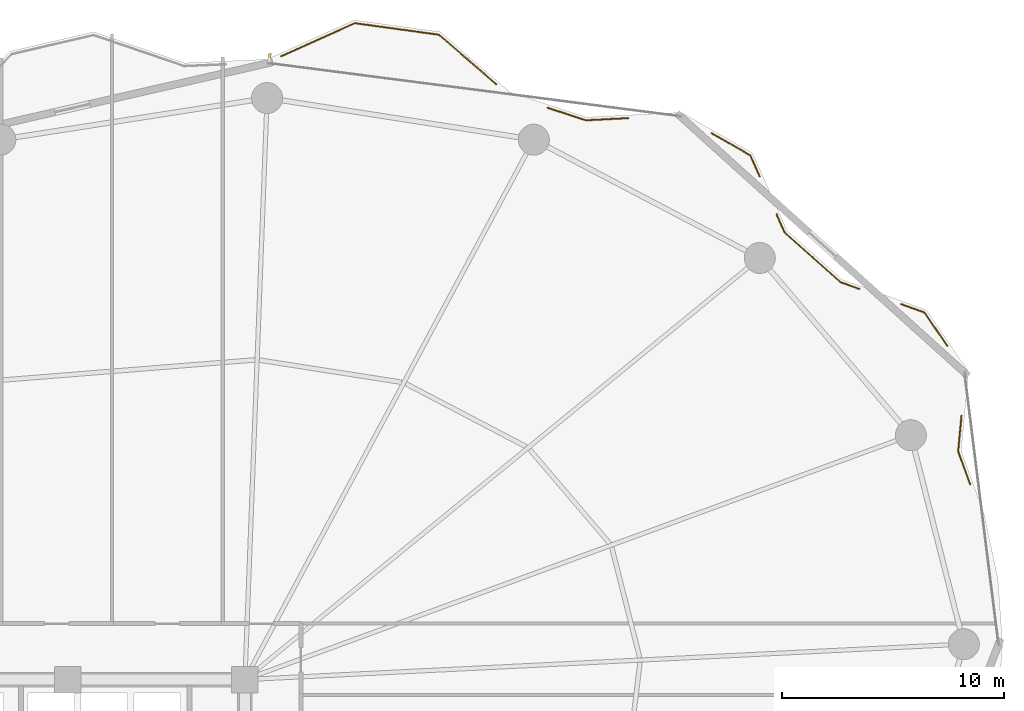
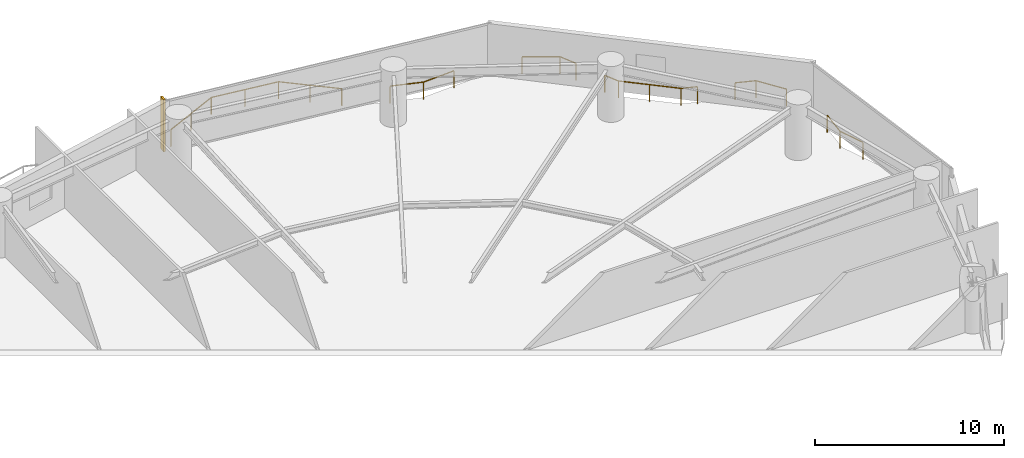
# One storey, part 30 of 30: 6 railings, 1 shading device.
"""IFC4 building model written with IfcOpenShell, lengths in metres."""

from ifc_helpers import new_model, si_unit, direction, frame, origin, origin_2d, place, context, subcontext, project, spatial, rectangle, extrude, material, type_object, element, save


model = new_model("IFC4")

# Units and contexts
model_context = context("Model", 3, precision=1e-05, world=origin(), true_north=direction((0.0, 1.0)))
body_context = subcontext(model_context, "Body", "Model", "MODEL_VIEW")
ifc_project = project(units=[si_unit("LENGTHUNIT", "METRE"), si_unit("AREAUNIT", "SQUARE_METRE"), si_unit("VOLUMEUNIT", "CUBIC_METRE"), si_unit("PLANEANGLEUNIT", "RADIAN"), si_unit("MASSUNIT", "GRAM", prefix="KILO")], contexts=[model_context])

# Site, building, storey
site_placement = place(None, origin())
site = spatial("IfcSite", under=ifc_project, at=site_placement, CompositionType="ELEMENT")
building_placement = place(site_placement, origin())
building = spatial("IfcBuilding", under=site, at=building_placement, Name="Kazevale Care Tower and Concert Hall", CompositionType="ELEMENT")
storey_placement = place(building_placement, frame((0.0, 0.0, 74.39990234375)))
storey = spatial("IfcBuildingStorey", under=building, at=storey_placement, Name="L19", CompositionType="ELEMENT", Elevation=74.39990234375)

# Railings
ifc_material_1 = material(Name="Anodised Bronze Aluminium and Laminated Glass", Category="aluminium")
railing_type = type_object("IfcRailingType", Name="Balcony and Terrace Balustrade 1120", PredefinedType="BALUSTRADE", material=ifc_material_1)
railing_1_placement = place(storey_placement, frame((45.62890625, 64.530029296875, 0.0)))
element("IfcRailing", 1, at=railing_1_placement, inside=storey, type_object=railing_type, Name="rail:L19:perim:6", PredefinedType="BALUSTRADE", context=body_context, shape_type="SweptSolid", body=[
    extrude(rectangle(XDim=0.048095703125, YDim=0.048095703125, at=origin_2d()), frame((0.0, 0.0, 1.09619140625), z_axis=(0.911836353888, 0.410553849975, 0.0), x_axis=(-0.410553849975, 0.911836353888, 0.0)), (0.0, 0.0, 1.0), 3.64892578125),
    extrude(rectangle(XDim=0.048095703125, YDim=0.048095703125, at=origin_2d()), frame((3.3271484375, 1.498046875, 1.09619140625), z_axis=(0.990721148466, -0.13591028652, 0.0), x_axis=(0.13591028652, 0.990721148466, 0.0)), (0.0, 0.0, 1.0), 3.840576171875),
    extrude(rectangle(XDim=0.048095703125, YDim=0.048095703125, at=origin_2d()), frame((7.132080078125, 0.97607421875, 1.09619140625), z_axis=(0.756211663975, -0.654327073617, 0.0), x_axis=(0.654327073617, 0.756211663975, 0.0)), (0.0, 0.0, 1.0), 3.405029296875),
    extrude(rectangle(XDim=0.0419921875, YDim=0.0419921875, at=origin_2d()), origin(), (0.0, 0.0, 1.0), 1.072021484375),
    extrude(rectangle(XDim=0.0419921875, YDim=0.0419921875, at=origin_2d()), frame((1.66357421875, 0.7490234375, 0.0)), (0.0, 0.0, 1.0), 1.072021484375),
    extrude(rectangle(XDim=0.0419921875, YDim=0.0419921875, at=origin_2d()), frame((3.3271484375, 1.498046875, 0.0)), (0.0, 0.0, 1.0), 1.072021484375),
    extrude(rectangle(XDim=0.0419921875, YDim=0.0419921875, at=origin_2d()), frame((5.2294921875, 1.237060546875, 0.0)), (0.0, 0.0, 1.0), 1.072021484375),
    extrude(rectangle(XDim=0.0419921875, YDim=0.0419921875, at=origin_2d()), frame((7.132080078125, 0.97607421875, 0.0)), (0.0, 0.0, 1.0), 1.072021484375),
    extrude(rectangle(XDim=0.0419921875, YDim=0.0419921875, at=origin_2d()), frame((8.41943359375, -0.137939453125, 0.0)), (0.0, 0.0, 1.0), 1.072021484375),
    extrude(rectangle(XDim=0.0419921875, YDim=0.0419921875, at=origin_2d()), frame((9.70703125, -1.251953125, 0.0)), (0.0, 0.0, 1.0), 1.072021484375),
])
railing_2_placement = place(storey_placement, frame((57.6640625, 62.2109375, 0.0)))
element("IfcRailing", 2, at=railing_2_placement, inside=storey, type_object=railing_type, Name="rail:L19:perim:7", PredefinedType="BALUSTRADE", context=body_context, shape_type="SweptSolid", body=[
    extrude(rectangle(XDim=0.048095703125, YDim=0.048095703125, at=origin_2d()), frame((0.0, 0.0, 1.09619140625), z_axis=(0.949848441204, -0.312710631004, 0.0), x_axis=(0.312710631004, 0.949848441204, 0.0)), (0.0, 0.0, 1.0), 1.812744140625),
    extrude(rectangle(XDim=0.048095703125, YDim=0.048095703125, at=origin_2d()), frame((1.721923828125, -0.56689453125, 1.09619140625), z_axis=(0.998699806004, 0.05097742136, 0.0), x_axis=(-0.05097742136, 0.998699806004, 0.0)), (0.0, 0.0, 1.0), 1.92041015625),
    extrude(rectangle(XDim=0.0419921875, YDim=0.0419921875, at=origin_2d()), origin(), (0.0, 0.0, 1.0), 1.072021484375),
    extrude(rectangle(XDim=0.0419921875, YDim=0.0419921875, at=origin_2d()), frame((1.721923828125, -0.56689453125, 0.0)), (0.0, 0.0, 1.0), 1.072021484375),
    extrude(rectangle(XDim=0.0419921875, YDim=0.0419921875, at=origin_2d()), frame((3.639892578125, -0.468994140625, 0.0)), (0.0, 0.0, 1.0), 1.072021484375),
])
railing_3_placement = place(storey_placement, frame((65.068115234375, 61.06103515625, 0.0)))
element("IfcRailing", 3, at=railing_3_placement, inside=storey, type_object=railing_type, Name="rail:L19:perim:8", PredefinedType="BALUSTRADE", context=body_context, shape_type="SweptSolid", body=[
    extrude(rectangle(XDim=0.048095703125, YDim=0.048095703125, at=origin_2d()), frame((0.0, 0.0, 1.09619140625), z_axis=(0.867792636199, -0.49692649412, 0.0), x_axis=(0.49692649412, 0.867792636199, 0.0)), (0.0, 0.0, 1.0), 2.00244140625),
    extrude(rectangle(XDim=0.048095703125, YDim=0.048095703125, at=origin_2d()), frame((1.73779296875, -0.9951171875, 1.09619140625), z_axis=(0.407540067142, -0.913187326716, 0.0), x_axis=(0.913187326716, 0.407540067142, 0.0)), (0.0, 0.0, 1.0), 1.050048828125),
    extrude(rectangle(XDim=0.0419921875, YDim=0.0419921875, at=origin_2d()), origin(), (0.0, 0.0, 1.0), 1.072021484375),
    extrude(rectangle(XDim=0.0419921875, YDim=0.0419921875, at=origin_2d()), frame((1.73779296875, -0.9951171875, 0.0)), (0.0, 0.0, 1.0), 1.072021484375),
    extrude(rectangle(XDim=0.0419921875, YDim=0.0419921875, at=origin_2d()), frame((2.165771484375, -1.9541015625, 0.0)), (0.0, 0.0, 1.0), 1.072021484375),
])
railing_4_placement = place(storey_placement, frame((67.998046875, 57.39404296875, 0.0)))
element("IfcRailing", 4, at=railing_4_placement, inside=storey, type_object=railing_type, Name="rail:L19:perim:9", PredefinedType="BALUSTRADE", context=body_context, shape_type="SweptSolid", body=[
    extrude(rectangle(XDim=0.048095703125, YDim=0.048095703125, at=origin_2d()), frame((0.0, 0.0, 1.09619140625), z_axis=(0.407642654708, -0.913141536709, 0.0), x_axis=(0.913141536709, 0.407642654708, 0.0)), (0.0, 0.0, 1.0), 0.88818359375),
    extrude(rectangle(XDim=0.048095703125, YDim=0.048095703125, at=origin_2d()), frame((0.362060546875, -0.81103515625, 1.09619140625), z_axis=(0.747170017906, -0.664632954601, 0.0), x_axis=(0.664632954601, 0.747170017906, 0.0)), (0.0, 0.0, 1.0), 3.3779296875),
    extrude(rectangle(XDim=0.048095703125, YDim=0.048095703125, at=origin_2d()), frame((2.885986328125, -3.05615234375, 1.09619140625), z_axis=(0.939992660794, -0.341194662404, 0.0), x_axis=(0.341194662404, 0.939992660794, 0.0)), (0.0, 0.0, 1.0), 0.893798828125),
    extrude(rectangle(XDim=0.0419921875, YDim=0.0419921875, at=origin_2d()), origin(), (0.0, 0.0, 1.0), 1.072021484375),
    extrude(rectangle(XDim=0.0419921875, YDim=0.0419921875, at=origin_2d()), frame((0.362060546875, -0.81103515625, 0.0)), (0.0, 0.0, 1.0), 1.072021484375),
    extrude(rectangle(XDim=0.0419921875, YDim=0.0419921875, at=origin_2d()), frame((1.6240234375, -1.93359375, 0.0)), (0.0, 0.0, 1.0), 1.072021484375),
    extrude(rectangle(XDim=0.0419921875, YDim=0.0419921875, at=origin_2d()), frame((2.885986328125, -3.05615234375, 0.0)), (0.0, 0.0, 1.0), 1.072021484375),
    extrude(rectangle(XDim=0.0419921875, YDim=0.0419921875, at=origin_2d()), frame((3.72607421875, -3.361083984375, 0.0)), (0.0, 0.0, 1.0), 1.072021484375),
])
railing_5_placement = place(storey_placement, frame((73.618896484375, 53.347900390625, 0.0)))
element("IfcRailing", 5, at=railing_5_placement, inside=storey, type_object=railing_type, Name="rail:L19:perim:10", PredefinedType="BALUSTRADE", context=body_context, shape_type="SweptSolid", body=[
    extrude(rectangle(XDim=0.048095703125, YDim=0.048095703125, at=origin_2d()), frame((0.0, 0.0, 1.09619140625), z_axis=(0.940402926023, -0.340062254195, 0.0), x_axis=(0.340062254195, 0.940402926023, 0.0)), (0.0, 0.0, 1.0), 1.119873046875),
    extrude(rectangle(XDim=0.048095703125, YDim=0.048095703125, at=origin_2d()), frame((1.05322265625, -0.380859375, 1.09619140625), z_axis=(0.565260397134, -0.824912530777, 0.0), x_axis=(0.824912530777, 0.565260397134, 0.0)), (0.0, 0.0, 1.0), 1.80615234375),
    extrude(rectangle(XDim=0.0419921875, YDim=0.0419921875, at=origin_2d()), origin(), (0.0, 0.0, 1.0), 1.072021484375),
    extrude(rectangle(XDim=0.0419921875, YDim=0.0419921875, at=origin_2d()), frame((1.05322265625, -0.380859375, 0.0)), (0.0, 0.0, 1.0), 1.072021484375),
    extrude(rectangle(XDim=0.0419921875, YDim=0.0419921875, at=origin_2d()), frame((2.07421875, -1.870849609375, 0.0)), (0.0, 0.0, 1.0), 1.072021484375),
])
railing_6_placement = place(storey_placement, frame((76.343994140625, 48.31298828125, 0.0)))
element("IfcRailing", 6, at=railing_6_placement, inside=storey, type_object=railing_type, Name="rail:L19:perim:12", PredefinedType="BALUSTRADE", context=body_context, shape_type="SweptSolid", body=[
    extrude(rectangle(XDim=0.048095703125, YDim=0.048095703125, at=origin_2d()), frame((0.0, 0.0, 1.09619140625), z_axis=(-0.091990538764, -0.995759881085, 0.0), x_axis=(0.995759881085, -0.091990538764, 0.0)), (0.0, 0.0, 1.0), 1.618896484375),
    extrude(rectangle(XDim=0.048095703125, YDim=0.048095703125, at=origin_2d()), frame((-0.14892578125, -1.612060546875, 1.09619140625), z_axis=(0.340214675844, -0.940347794351, 0.0), x_axis=(0.940347794351, 0.340214675844, 0.0)), (0.0, 0.0, 1.0), 1.578125),
    extrude(rectangle(XDim=0.0419921875, YDim=0.0419921875, at=origin_2d()), origin(), (0.0, 0.0, 1.0), 1.072021484375),
    extrude(rectangle(XDim=0.0419921875, YDim=0.0419921875, at=origin_2d()), frame((-0.14892578125, -1.612060546875, 0.0)), (0.0, 0.0, 1.0), 1.072021484375),
    extrude(rectangle(XDim=0.0419921875, YDim=0.0419921875, at=origin_2d()), frame((0.387939453125, -3.095947265625, 0.0)), (0.0, 0.0, 1.0), 1.072021484375),
])

# Shading device
ifc_material_2 = material(Name="Honed Ochre Limestone", Category="masonry")
shading_device_type = type_object("IfcShadingDeviceType", Name="Vertical Honed Limestone Fin FIN-01", PredefinedType="USERDEFINED", material=ifc_material_2)
shading_device_placement = place(storey_placement, frame((45.112548828125, 64.47607421875, 0.0), z_axis=(0.0, 0.0, 1.0), x_axis=(0.127930151302, 0.99178318013, 0.0)))
element("IfcShadingDevice", 7, at=shading_device_placement, inside=storey, type_object=shading_device_type, Name="cw:L19:f16:fin", ObjectType="FIN", PredefinedType="USERDEFINED", context=body_context, shape_type="SweptSolid", body=[
    extrude(rectangle(XDim=0.3798828125, YDim=0.1201171875, at=origin_2d()), origin(), (0.0, 0.0, 1.0), 3.360107421875),
])

save(model, "model.ifc")
